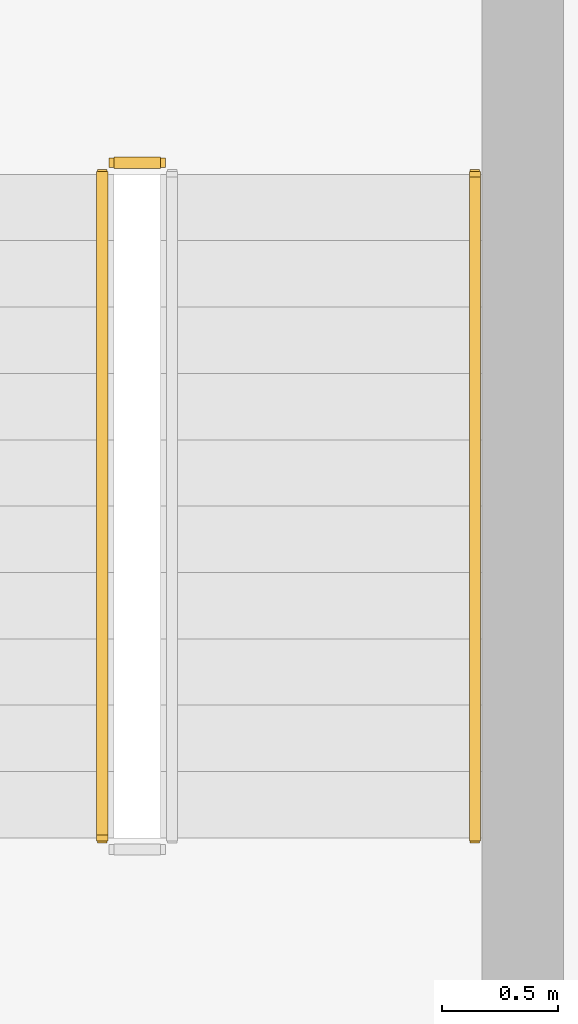
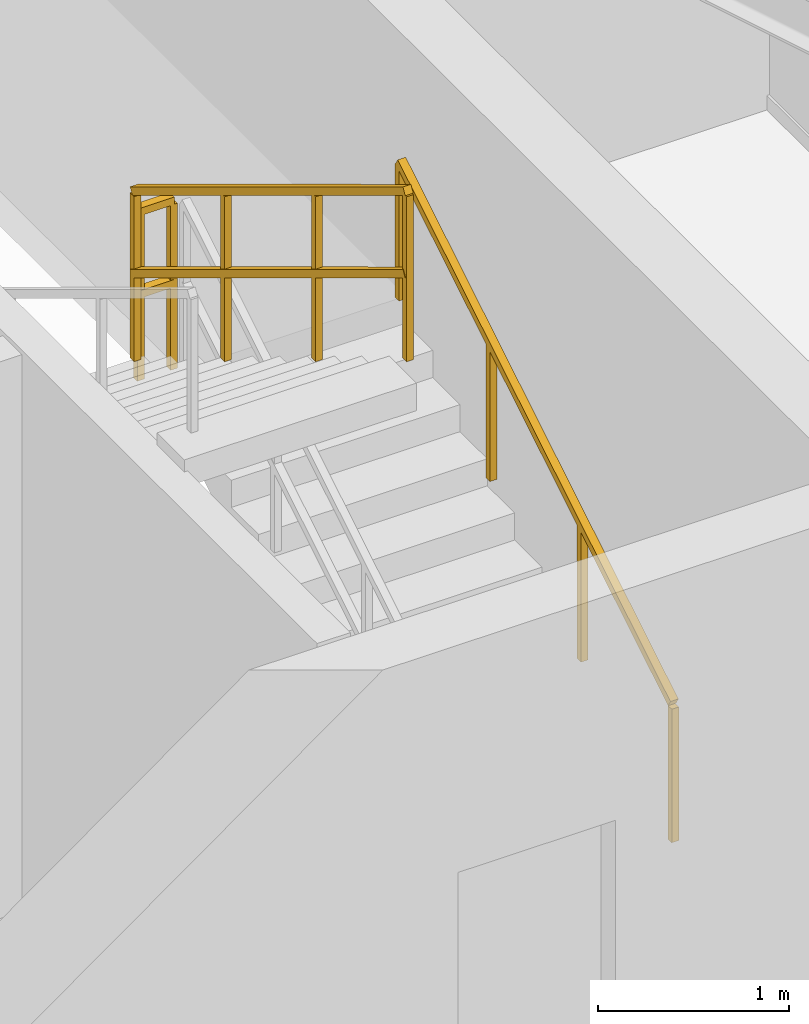
# One storey, part 23 of 23: 3 railings.
"""IFC4 building model written with IfcOpenShell, lengths in metres."""

from ifc_helpers import new_model, si_unit, direction, frame, origin, origin_2d, place, context, subcontext, project, spatial, rectangle, extrude, material, type_object, element, save


model = new_model("IFC4")

# Units and contexts
model_context = context("Model", 3, precision=1e-05, world=origin(), true_north=direction((0.0, 1.0)))
body_context = subcontext(model_context, "Body", "Model", "MODEL_VIEW")
ifc_project = project(units=[si_unit("LENGTHUNIT", "METRE"), si_unit("AREAUNIT", "SQUARE_METRE"), si_unit("VOLUMEUNIT", "CUBIC_METRE"), si_unit("PLANEANGLEUNIT", "RADIAN"), si_unit("MASSUNIT", "GRAM", prefix="KILO")], contexts=[model_context])

# Site, building, storey
site_placement = place(None, origin())
site = spatial("IfcSite", under=ifc_project, at=site_placement, CompositionType="ELEMENT")
building_placement = place(site_placement, origin())
building = spatial("IfcBuilding", under=site, at=building_placement, Name="Varnel Quay Broadcast Tower", CompositionType="ELEMENT")
storey_placement = place(building_placement, frame((0.0, 0.0, 266.0)))
storey = spatial("IfcBuildingStorey", under=building, at=storey_placement, Name="L66", CompositionType="ELEMENT", Elevation=266.0)

# Railings
ifc_material = material(Name="Painted Steel Guard and Handrail CSA G40.21 350W", Category="steel")
railing_type_1 = type_object("IfcRailingType", Name="Rail_StairGuard1100", PredefinedType="GUARDRAIL", material=ifc_material)
railing_1_placement = place(storey_placement, frame((50.60009765625, 40.64990234375, 1.89990234375)))
element("IfcRailing", 1, at=railing_1_placement, inside=storey, type_object=railing_type_1, Name="L66 ST-02 stair guard 2", PredefinedType="GUARDRAIL", context=body_context, shape_type="SweptSolid", body=[
    extrude(rectangle(XDim=0.048095703125, YDim=0.048095703125, at=origin_2d()), frame((0.0, 0.0, 1.076171875), z_axis=(-1.0, 0.0, 0.0), x_axis=(0.0, -1.0, 0.0)), (0.0, 0.0, 1.0), 0.2001953125),
    extrude(rectangle(XDim=0.048095703125, YDim=0.048095703125, at=origin_2d()), frame((0.0, 0.0, 0.550048828125), z_axis=(-1.0, 0.0, 0.0), x_axis=(0.0, -1.0, 0.0)), (0.0, 0.0, 1.0), 0.2001953125),
    extrude(rectangle(XDim=0.0419921875, YDim=0.0419921875, at=origin_2d()), origin(), (0.0, 0.0, 1.0), 1.052001953125),
    extrude(rectangle(XDim=0.0419921875, YDim=0.0419921875, at=origin_2d()), frame((-0.2001953125, 0.0, 0.0)), (0.0, 0.0, 1.0), 1.052001953125),
])
railing_2_placement = place(storey_placement, frame((50.35009765625, 40.60009765625, 2.07275390625)))
element("IfcRailing", 2, at=railing_2_placement, inside=storey, type_object=railing_type_1, Name="L66 ST-02 stair guard 3", PredefinedType="GUARDRAIL", context=body_context, shape_type="SweptSolid", body=[
    extrude(rectangle(XDim=0.048095703125, YDim=0.048095703125, at=origin_2d()), frame((0.0, 0.0, 1.076171875), z_axis=(0.0, -0.855202751398, 0.518293598264), x_axis=(1.0, 0.0, 0.0)), (0.0, 0.0, 1.0), 3.332763671875),
    extrude(rectangle(XDim=0.048095703125, YDim=0.048095703125, at=origin_2d()), frame((0.0, 0.0, 0.550048828125), z_axis=(0.0, -0.855202751398, 0.518293598264), x_axis=(1.0, 0.0, 0.0)), (0.0, 0.0, 1.0), 3.332763671875),
    extrude(rectangle(XDim=0.0419921875, YDim=0.0419921875, at=origin_2d()), origin(), (0.0, 0.0, 1.0), 1.052001953125),
    extrude(rectangle(XDim=0.0419921875, YDim=0.0419921875, at=origin_2d()), frame((0.0, -0.949951171875, 0.57568359375)), (0.0, 0.0, 1.0), 1.052001953125),
    extrude(rectangle(XDim=0.0419921875, YDim=0.0419921875, at=origin_2d()), frame((0.0, -1.900146484375, 1.151611328125)), (0.0, 0.0, 1.0), 1.052001953125),
    extrude(rectangle(XDim=0.0419921875, YDim=0.0419921875, at=origin_2d()), frame((0.0, -2.85009765625, 1.727294921875)), (0.0, 0.0, 1.0), 1.052001953125),
])
railing_type_2 = type_object("IfcRailingType", Name="Rail_StairHandrail900", PredefinedType="HANDRAIL", material=ifc_material)
railing_3_placement = place(storey_placement, frame((51.949951171875, 37.75, 0.172607421875)))
element("IfcRailing", 3, at=railing_3_placement, inside=storey, type_object=railing_type_2, Name="L66 ST-02 stair handrail 1", PredefinedType="HANDRAIL", context=body_context, shape_type="SweptSolid", body=[
    extrude(rectangle(XDim=0.048095703125, YDim=0.048095703125, at=origin_2d()), frame((0.0, 0.0, 0.8759765625), z_axis=(0.0, 0.855202751398, 0.518293598264), x_axis=(-1.0, 0.0, 0.0)), (0.0, 0.0, 1.0), 3.332763671875),
    extrude(rectangle(XDim=0.0419921875, YDim=0.0419921875, at=origin_2d()), origin(), (0.0, 0.0, 1.0), 0.851806640625),
    extrude(rectangle(XDim=0.0419921875, YDim=0.0419921875, at=origin_2d()), frame((0.0, 0.949951171875, 0.57568359375)), (0.0, 0.0, 1.0), 0.851806640625),
    extrude(rectangle(XDim=0.0419921875, YDim=0.0419921875, at=origin_2d()), frame((0.0, 1.900146484375, 1.151611328125)), (0.0, 0.0, 1.0), 0.851806640625),
    extrude(rectangle(XDim=0.0419921875, YDim=0.0419921875, at=origin_2d()), frame((0.0, 2.85009765625, 1.727294921875)), (0.0, 0.0, 1.0), 0.851806640625),
])

save(model, "model.ifc")
